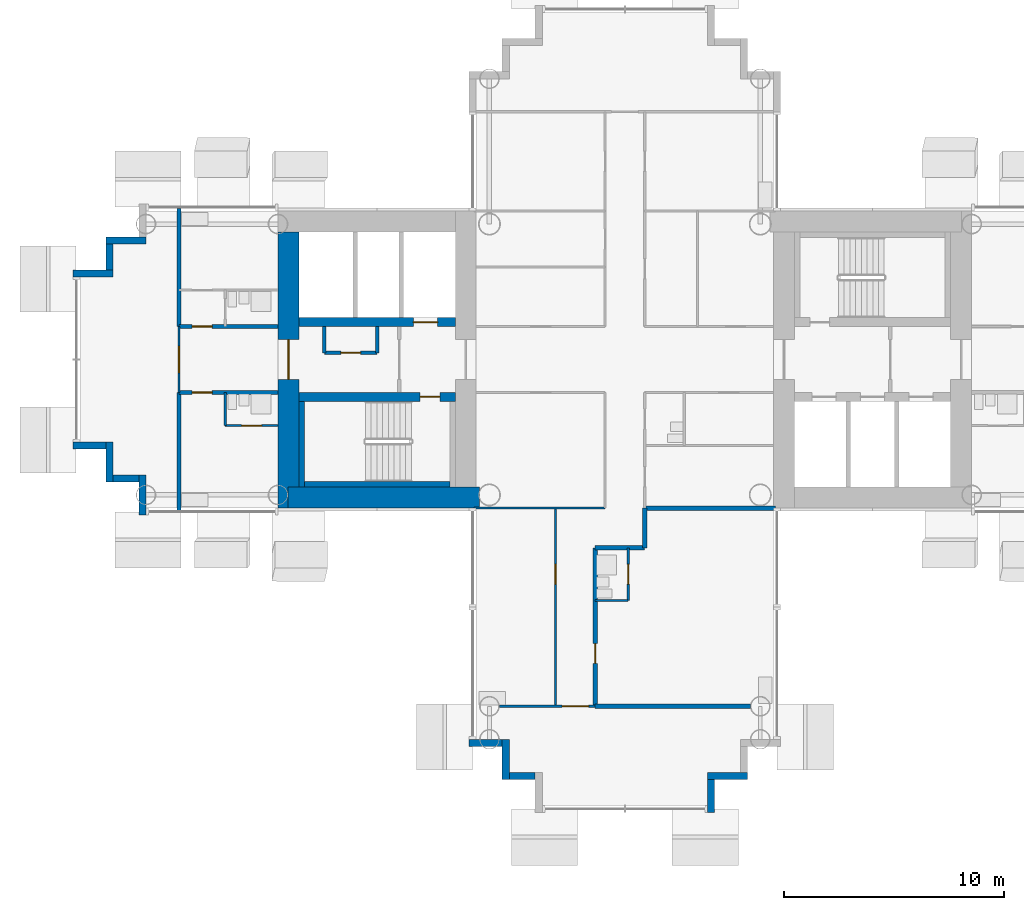
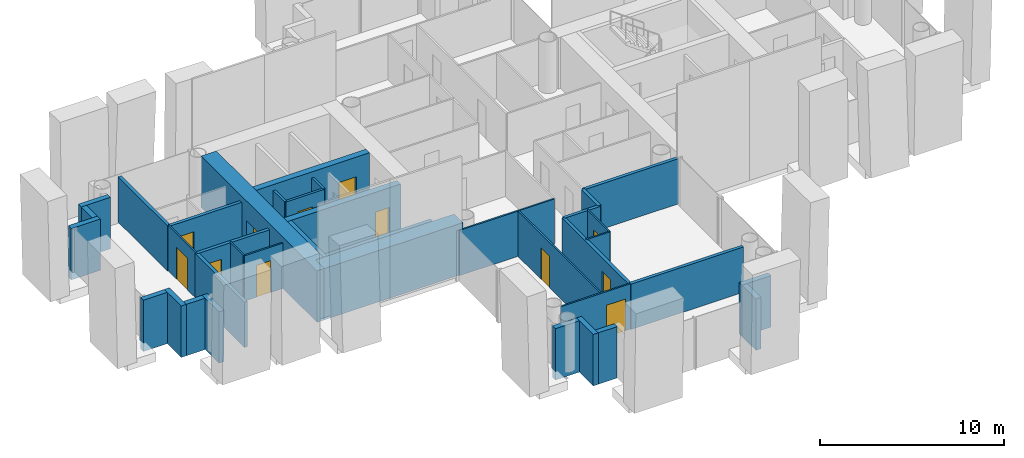
# One storey, part 8 of 20: 38 walls, 12 doors, 12 openings.
"""IFC4 building model written with IfcOpenShell, lengths in metres."""

from ifc_helpers import new_model, si_unit, direction, frame, frame_2d, origin, place, context, subcontext, project, spatial, rectangle, extrude, material, layer, layer_set, type_object, element, fill, save


model = new_model("IFC4")

# Units and contexts
model_context = context("Model", 3, precision=1e-05, world=origin(), true_north=direction((0.0, 1.0)))
body_context = subcontext(model_context, "Body", "Model", "MODEL_VIEW")
ifc_project = project(units=[si_unit("LENGTHUNIT", "METRE"), si_unit("AREAUNIT", "SQUARE_METRE"), si_unit("VOLUMEUNIT", "CUBIC_METRE"), si_unit("PLANEANGLEUNIT", "RADIAN"), si_unit("MASSUNIT", "GRAM", prefix="KILO")], contexts=[model_context])

# Site, building, storey
site_placement = place(None, origin())
site = spatial("IfcSite", under=ifc_project, at=site_placement, CompositionType="ELEMENT")
building_placement = place(site_placement, origin())
building = spatial("IfcBuilding", under=site, at=building_placement, Name="Ipe Terrace Towers", CompositionType="ELEMENT")
storey_placement = place(building_placement, frame((0.0, 0.0, 120.800048828125)))
storey = spatial("IfcBuildingStorey", under=building, at=storey_placement, Name="L33", CompositionType="ELEMENT", Elevation=120.800048828125)

# Walls
ifc_material_1 = material(Name="Concrete C40/50 with buff precast cladding", Category="concrete")
ifc_layer_1 = layer(ifc_material_1, 0.320068359375)
ifc_layer_set_1 = layer_set([ifc_layer_1], Name="BUFF CLADDING WALL 320")
wall_type_1 = type_object("IfcWallType", Name="BUFF CLADDING WALL 320", PredefinedType="STANDARD", material=ifc_layer_set_1)
wall_1_placement = place(storey_placement, frame((-61.070068359375, -3.909912109375, -0.300048828125), z_axis=(0.0, 0.0, 1.0), x_axis=(1.0, 0.0, 0.0)))
element("IfcWall", 1, at=wall_1_placement, inside=storey, type_object=wall_type_1, Name="T1-W-L33-00a wall", PredefinedType="STANDARD", context=body_context, shape_type="SweptSolid", body=[
    extrude(rectangle(XDim=1.5, YDim=0.320068359375, at=frame_2d((0.75, 0.0))), origin(), (0.0, 0.0, 1.0), 3.39990234375),
])
wall_2_placement = place(storey_placement, frame((-59.409912109375, -3.75, -0.300048828125), z_axis=(0.0, 0.0, 1.0), x_axis=(0.0, -1.0, 0.0)))
element("IfcWall", 2, at=wall_2_placement, inside=storey, type_object=wall_type_1, Name="T1-W-L33-01a wall", PredefinedType="STANDARD", context=body_context, shape_type="SweptSolid", body=[
    extrude(rectangle(XDim=1.820068359375, YDim=0.320068359375, at=frame_2d((0.91015625, 0.0))), origin(), (0.0, 0.0, 1.0), 3.39990234375),
])
wall_3_placement = place(storey_placement, frame((-59.25, -5.409912109375, -0.300048828125), z_axis=(0.0, 0.0, 1.0), x_axis=(1.0, 0.0, 0.0)))
element("IfcWall", 3, at=wall_3_placement, inside=storey, type_object=wall_type_1, Name="T1-W-L33-02a wall", PredefinedType="STANDARD", context=body_context, shape_type="SweptSolid", body=[
    extrude(rectangle(XDim=1.179931640625, YDim=0.320068359375, at=frame_2d((0.58984375, 0.0))), origin(), (0.0, 0.0, 1.0), 3.39990234375),
])
wall_4_placement = place(storey_placement, frame((-57.909912109375, -5.25, -0.300048828125), z_axis=(0.0, 0.0, 1.0), x_axis=(0.0, -1.0, 0.0)))
element("IfcWall", 4, at=wall_4_placement, inside=storey, type_object=wall_type_1, Name="T1-W-L33-03a wall", PredefinedType="STANDARD", context=body_context, shape_type="SweptSolid", body=[
    extrude(rectangle(XDim=1.820068359375, YDim=0.320068359375, at=frame_2d((0.91015625, 0.0))), origin(), (0.0, 0.0, 1.0), 3.39990234375),
])
wall_5_placement = place(storey_placement, frame((-43.070068359375, -17.409912109375, -0.300048828125), z_axis=(0.0, 0.0, 1.0), x_axis=(1.0, 0.0, 0.0)))
element("IfcWall", 5, at=wall_5_placement, inside=storey, type_object=wall_type_1, Name="T1-W-L33-08a wall", PredefinedType="STANDARD", context=body_context, shape_type="SweptSolid", body=[
    extrude(rectangle(XDim=1.5, YDim=0.320068359375, at=frame_2d((0.75, 0.0))), origin(), (0.0, 0.0, 1.0), 3.39990234375),
])
wall_6_placement = place(storey_placement, frame((-41.409912109375, -17.25, -0.300048828125), z_axis=(0.0, 0.0, 1.0), x_axis=(0.0, -1.0, 0.0)))
element("IfcWall", 6, at=wall_6_placement, inside=storey, type_object=wall_type_1, Name="T1-W-L33-09a wall", PredefinedType="STANDARD", context=body_context, shape_type="SweptSolid", body=[
    extrude(rectangle(XDim=1.820068359375, YDim=0.320068359375, at=frame_2d((0.91015625, 0.0))), origin(), (0.0, 0.0, 1.0), 3.39990234375),
])
wall_7_placement = place(storey_placement, frame((-41.25, -18.909912109375, -0.300048828125), z_axis=(0.0, 0.0, 1.0), x_axis=(1.0, 0.0, 0.0)))
element("IfcWall", 7, at=wall_7_placement, inside=storey, type_object=wall_type_1, Name="T1-W-L33-10a wall", PredefinedType="STANDARD", context=body_context, shape_type="SweptSolid", body=[
    extrude(rectangle(XDim=1.179931640625, YDim=0.320068359375, at=frame_2d((0.58984375, 0.0))), origin(), (0.0, 0.0, 1.0), 3.39990234375),
])
wall_8_placement = place(storey_placement, frame((-32.090087890625, -20.570068359375, -0.300048828125), z_axis=(0.0, 0.0, 1.0), x_axis=(0.0, 1.0, 0.0)))
element("IfcWall", 8, at=wall_8_placement, inside=storey, type_object=wall_type_1, Name="T1-W-L33-13a wall", PredefinedType="STANDARD", context=body_context, shape_type="SweptSolid", body=[
    extrude(rectangle(XDim=1.5, YDim=0.320068359375, at=frame_2d((0.75, 0.0))), origin(), (0.0, 0.0, 1.0), 3.39990234375),
])
for number, where, z_axis, x_axis, name in (
    (9, (-32.25, -18.909912109375, -0.300048828125), (0.0, 0.0, 1.0), (1.0, 0.0, 0.0), "T1-W-L33-14a wall"),
    (10, (-57.75, 5.409912109375, -0.300048828125), (0.0, 0.0, 1.0), (-1.0, 0.0, 0.0), "T1-W-L33-48a wall"),
):
    element("IfcWall", number, at=place(storey_placement, frame(where, z_axis=z_axis, x_axis=x_axis)), inside=storey, type_object=wall_type_1, Name=name, PredefinedType="STANDARD", context=body_context, shape_type="SweptSolid", body=[
        extrude(rectangle(XDim=1.820068359375, YDim=0.320068359375, at=frame_2d((0.91015625, 0.0))), origin(), (0.0, 0.0, 1.0), 3.39990234375),
    ])
wall_9_placement = place(storey_placement, frame((-59.409912109375, 5.25, -0.300048828125), z_axis=(0.0, 0.0, 1.0), x_axis=(0.0, -1.0, 0.0)))
element("IfcWall", 11, at=wall_9_placement, inside=storey, type_object=wall_type_1, Name="T1-W-L33-49a wall", PredefinedType="STANDARD", context=body_context, shape_type="SweptSolid", body=[
    extrude(rectangle(XDim=1.179931640625, YDim=0.320068359375, at=frame_2d((0.58984375, 0.0))), origin(), (0.0, 0.0, 1.0), 3.39990234375),
])
wall_10_placement = place(storey_placement, frame((-59.25, 3.909912109375, -0.300048828125), z_axis=(0.0, 0.0, 1.0), x_axis=(-1.0, 0.0, 0.0)))
element("IfcWall", 12, at=wall_10_placement, inside=storey, type_object=wall_type_1, Name="T1-W-L33-50a wall", PredefinedType="STANDARD", context=body_context, shape_type="SweptSolid", body=[
    extrude(rectangle(XDim=1.820068359375, YDim=0.320068359375, at=frame_2d((0.91015625, 0.0))), origin(), (0.0, 0.0, 1.0), 3.39990234375),
])

# Wall, opening, door
ifc_material_2 = material(Name="Gypsum board partition", Category="plasterboard")
ifc_layer_2 = layer(ifc_material_2, 0.10009765625)
ifc_layer_set_2 = layer_set([ifc_layer_2], Name="Gypsum board partition 100 mm")
wall_type_2 = type_object("IfcWallType", Name="Gypsum board partition 100 mm", PredefinedType="PARTITIONING", material=ifc_layer_set_2)
wall_11_placement = place(storey_placement, frame((-56.25, -1.5, 0.0), z_axis=(0.0, 0.0, 1.0), x_axis=(0.0, 1.0, 0.0)))
wall_11 = element("IfcWall", 13, at=wall_11_placement, inside=storey, type_object=wall_type_2, Name="Gypsum board partition T1 L33 W01", PredefinedType="PARTITIONING", context=body_context, shape_type="SweptSolid", body=[
    extrude(rectangle(XDim=3.0, YDim=0.10009765625, at=frame_2d((1.5, 0.0))), origin(), (0.0, 0.0, 1.0), 3.0),
])
opening_1_placement = place(wall_11_placement, frame((0.89990234375, 0.0, 0.0)))
opening_1 = element("IfcOpeningElement", 14, at=opening_1_placement, cuts=wall_11, Name="Opening T1-Z2D-25", PredefinedType="OPENING", context=body_context, shape_type="SweptSolid", body=[
    extrude(rectangle(XDim=1.199951171875, YDim=2.10009765625, at=frame_2d((0.60009765625, 1.050048828125))), frame((0.0, 0.06005859375, 0.0), z_axis=(0.0, -1.0, 0.0), x_axis=(1.0, 0.0, 0.0)), (0.0, 0.0, 1.0), 0.1201171875),
])
ifc_material_3 = material(Name="Timber door leaf", Category="wood")
door_type_1 = type_object("IfcDoorType", Name="Lounge door 1200 x 2100", OperationType="NOTDEFINED", PredefinedType="DOOR", material=ifc_material_3)
door_1_placement = place(opening_1_placement, origin())
door_1 = element("IfcDoor", 15, at=door_1_placement, inside=storey, type_object=door_type_1, Name="Lounge door T1-Z2D-25", OperationType="SINGLE_SWING_LEFT", OverallHeight=2.10009765625, OverallWidth=1.199951171875, PredefinedType="DOOR", context=body_context, shape_type="SweptSolid", body=[
    extrude(rectangle(XDim=1.199951171875, YDim=2.10009765625, at=frame_2d((0.60009765625, 1.050048828125))), frame((0.0, 0.02490234375, 0.0), z_axis=(0.0, -1.0, 0.0), x_axis=(1.0, 0.0, 0.0)), (0.0, 0.0, 1.0), 0.050048828125),
])
fill(opening_1, door_1)

# Wall
wall_12_placement = place(storey_placement, frame((-54.14990234375, -3.0, 0.0), z_axis=(0.0, 0.0, 1.0), x_axis=(0.0, 1.0, 0.0)))
element("IfcWall", 16, at=wall_12_placement, inside=storey, type_object=wall_type_2, Name="Gypsum board partition T1 L33 W04", PredefinedType="PARTITIONING", context=body_context, shape_type="SweptSolid", body=[
    extrude(rectangle(XDim=1.5, YDim=0.10009765625, at=frame_2d((0.75, 0.0))), origin(), (0.0, 0.0, 1.0), 3.0),
])

# Wall, opening, door
wall_13_placement = place(storey_placement, frame((-39.14990234375, -15.75, 0.0), z_axis=(0.0, 0.0, 1.0), x_axis=(0.0, 1.0, 0.0)))
wall_13 = element("IfcWall", 17, at=wall_13_placement, inside=storey, type_object=wall_type_2, Name="Gypsum board partition T1 L33 W06", PredefinedType="PARTITIONING", context=body_context, shape_type="SweptSolid", body=[
    extrude(rectangle(XDim=9.0, YDim=0.10009765625, at=frame_2d((4.5, 0.0))), origin(), (0.0, 0.0, 1.0), 3.0),
])
opening_2_placement = place(wall_13_placement, frame((5.550048828125, 0.0, 0.0)))
opening_2 = element("IfcOpeningElement", 18, at=opening_2_placement, cuts=wall_13, Name="Opening T1-Z2D-14", PredefinedType="OPENING", context=body_context, shape_type="SweptSolid", body=[
    extrude(rectangle(XDim=0.89990234375, YDim=2.10009765625, at=frame_2d((0.449951171875, 1.050048828125))), frame((0.0, 0.06005859375, 0.0), z_axis=(0.0, -1.0, 0.0), x_axis=(1.0, 0.0, 0.0)), (0.0, 0.0, 1.0), 0.1201171875),
])
ifc_material_4 = material(Name="Timber door leaf", Category="wood")
door_type_2 = type_object("IfcDoorType", Name="Lounge door 900 x 2100", OperationType="NOTDEFINED", PredefinedType="DOOR", material=ifc_material_4)
door_2_placement = place(opening_2_placement, origin())
door_2 = element("IfcDoor", 19, at=door_2_placement, inside=storey, type_object=door_type_2, Name="Lounge door T1-Z2D-14", OperationType="SINGLE_SWING_LEFT", OverallHeight=2.10009765625, OverallWidth=0.89990234375, PredefinedType="DOOR", context=body_context, shape_type="SweptSolid", body=[
    extrude(rectangle(XDim=0.89990234375, YDim=2.10009765625, at=frame_2d((0.449951171875, 1.050048828125))), frame((0.0, 0.02490234375, 0.0), z_axis=(0.0, -1.0, 0.0), x_axis=(1.0, 0.0, 0.0)), (0.0, 0.0, 1.0), 0.050048828125),
])
fill(opening_2, door_2)

wall_14_placement = place(storey_placement, frame((-35.85009765625, -10.949951171875, 0.0), z_axis=(0.0, 0.0, 1.0), x_axis=(0.0, 1.0, 0.0)))
wall_14 = element("IfcWall", 20, at=wall_14_placement, inside=storey, type_object=wall_type_2, Name="Gypsum board partition T1 L33 W10", PredefinedType="PARTITIONING", context=body_context, shape_type="SweptSolid", body=[
    extrude(rectangle(XDim=2.39990234375, YDim=0.10009765625, at=frame_2d((1.199951171875, 0.0))), origin(), (0.0, 0.0, 1.0), 3.0),
])
opening_3_placement = place(wall_14_placement, frame((0.75, 0.0, 0.0)))
opening_3 = element("IfcOpeningElement", 21, at=opening_3_placement, cuts=wall_14, Name="Opening T1-Z2D-13", PredefinedType="OPENING", context=body_context, shape_type="SweptSolid", body=[
    extrude(rectangle(XDim=0.89990234375, YDim=2.10009765625, at=frame_2d((0.449951171875, 1.050048828125))), frame((0.0, 0.06005859375, 0.0), z_axis=(0.0, -1.0, 0.0), x_axis=(1.0, 0.0, 0.0)), (0.0, 0.0, 1.0), 0.1201171875),
])
ifc_material_5 = material(Name="Timber door leaf", Category="wood")
door_type_3 = type_object("IfcDoorType", Name="Bathroom door 900 x 2100", OperationType="NOTDEFINED", PredefinedType="DOOR", material=ifc_material_5)
door_3_placement = place(opening_3_placement, origin())
door_3 = element("IfcDoor", 22, at=door_3_placement, inside=storey, type_object=door_type_3, Name="Bathroom door T1-Z2D-13", OperationType="SINGLE_SWING_LEFT", OverallHeight=2.10009765625, OverallWidth=0.89990234375, PredefinedType="DOOR", context=body_context, shape_type="SweptSolid", body=[
    extrude(rectangle(XDim=0.89990234375, YDim=2.10009765625, at=frame_2d((0.449951171875, 1.050048828125))), frame((0.0, 0.02490234375, 0.0), z_axis=(0.0, -1.0, 0.0), x_axis=(1.0, 0.0, 0.0)), (0.0, 0.0, 1.0), 0.050048828125),
])
fill(opening_3, door_3)

wall_15_placement = place(storey_placement, frame((-41.699951171875, -15.75, 0.0), z_axis=(0.0, 0.0, 1.0), x_axis=(1.0, 0.0, 0.0)))
wall_15 = element("IfcWall", 23, at=wall_15_placement, inside=storey, type_object=wall_type_2, Name="Gypsum board partition T1 L33 W19", PredefinedType="PARTITIONING", context=body_context, shape_type="SweptSolid", body=[
    extrude(rectangle(XDim=4.349853515625, YDim=0.10009765625, at=frame_2d((2.1748046875, 0.0))), origin(), (0.0, 0.0, 1.0), 3.0),
])
opening_4_placement = place(wall_15_placement, frame((2.85009765625, 0.0, 0.0)))
opening_4 = element("IfcOpeningElement", 24, at=opening_4_placement, cuts=wall_15, Name="Opening T1-Z2D-15", PredefinedType="OPENING", context=body_context, shape_type="SweptSolid", body=[
    extrude(rectangle(XDim=1.199951171875, YDim=2.10009765625, at=frame_2d((0.60009765625, 1.050048828125))), frame((0.0, 0.06005859375, 0.0), z_axis=(0.0, -1.0, 0.0), x_axis=(1.0, 0.0, 0.0)), (0.0, 0.0, 1.0), 0.1201171875),
])
door_4_placement = place(opening_4_placement, origin())
door_4 = element("IfcDoor", 25, at=door_4_placement, inside=storey, type_object=door_type_1, Name="Lounge door T1-Z2D-15", OperationType="SINGLE_SWING_RIGHT", OverallHeight=2.10009765625, OverallWidth=1.199951171875, PredefinedType="DOOR", context=body_context, shape_type="SweptSolid", body=[
    extrude(rectangle(XDim=1.199951171875, YDim=2.10009765625, at=frame_2d((0.60009765625, 1.050048828125))), frame((0.0, 0.02490234375, 0.0), z_axis=(0.0, -1.0, 0.0), x_axis=(1.0, 0.0, 0.0)), (0.0, 0.0, 1.0), 0.050048828125),
])
fill(opening_4, door_4)

# Walls
wall_16_placement = place(storey_placement, frame((-37.35009765625, -10.949951171875, 0.0), z_axis=(0.0, 0.0, 1.0), x_axis=(1.0, 0.0, 0.0)))
element("IfcWall", 26, at=wall_16_placement, inside=storey, type_object=wall_type_2, Name="Gypsum board partition T1 L33 W21", PredefinedType="PARTITIONING", context=body_context, shape_type="SweptSolid", body=[
    extrude(rectangle(XDim=1.5, YDim=0.10009765625, at=frame_2d((0.75, 0.0))), origin(), (0.0, 0.0, 1.0), 3.0),
])
wall_17_placement = place(storey_placement, frame((-42.85009765625, -6.75, 0.0), z_axis=(0.0, 0.0, 1.0), x_axis=(1.0, 0.0, 0.0)))
element("IfcWall", 27, at=wall_17_placement, inside=storey, type_object=wall_type_2, Name="Gypsum board partition T1 L33 W23", PredefinedType="PARTITIONING", context=body_context, shape_type="SweptSolid", body=[
    extrude(rectangle(XDim=5.9501953125, YDim=0.10009765625, at=frame_2d((2.97509765625, 0.0))), origin(), (0.0, 0.0, 1.0), 3.0),
])

# Wall, opening, door
wall_18_placement = place(storey_placement, frame((-54.14990234375, -3.0, 0.0), z_axis=(0.0, 0.0, 1.0), x_axis=(1.0, 0.0, 0.0)))
wall_18 = element("IfcWall", 28, at=wall_18_placement, inside=storey, type_object=wall_type_2, Name="Gypsum board partition T1 L33 W26", PredefinedType="PARTITIONING", context=body_context, shape_type="SweptSolid", body=[
    extrude(rectangle(XDim=2.39990234375, YDim=0.10009765625, at=frame_2d((1.199951171875, 0.0))), origin(), (0.0, 0.0, 1.0), 3.0),
])
opening_5_placement = place(wall_18_placement, frame((0.75, 0.0, 0.0)))
opening_5 = element("IfcOpeningElement", 29, at=opening_5_placement, cuts=wall_18, Name="Opening T1-Z2D-21", PredefinedType="OPENING", context=body_context, shape_type="SweptSolid", body=[
    extrude(rectangle(XDim=0.89990234375, YDim=2.10009765625, at=frame_2d((0.449951171875, 1.050048828125))), frame((0.0, 0.06005859375, 0.0), z_axis=(0.0, -1.0, 0.0), x_axis=(1.0, 0.0, 0.0)), (0.0, 0.0, 1.0), 0.1201171875),
])
door_5_placement = place(opening_5_placement, origin())
door_5 = element("IfcDoor", 30, at=door_5_placement, inside=storey, type_object=door_type_3, Name="Bathroom door T1-Z2D-21", OperationType="SINGLE_SWING_LEFT", OverallHeight=2.10009765625, OverallWidth=0.89990234375, PredefinedType="DOOR", context=body_context, shape_type="SweptSolid", body=[
    extrude(rectangle(XDim=0.89990234375, YDim=2.10009765625, at=frame_2d((0.449951171875, 1.050048828125))), frame((0.0, 0.02490234375, 0.0), z_axis=(0.0, -1.0, 0.0), x_axis=(1.0, 0.0, 0.0)), (0.0, 0.0, 1.0), 0.050048828125),
])
fill(opening_5, door_5)

ifc_material_6 = material(Name="Gypsum board partition", Category="plasterboard")
ifc_layer_3 = layer(ifc_material_6, 0.14990234375)
ifc_layer_set_3 = layer_set([ifc_layer_3], Name="Gypsum board partition 150 mm")
wall_type_3 = type_object("IfcWallType", Name="Gypsum board partition 150 mm", PredefinedType="PARTITIONING", material=ifc_layer_set_3)
wall_19_placement = place(storey_placement, frame((-47.25, 0.300048828125, 0.0), z_axis=(0.0, 0.0, 1.0), x_axis=(-1.0, 0.0, 0.0)))
wall_19 = element("IfcWall", 31, at=wall_19_placement, inside=storey, type_object=wall_type_3, Name="Gypsum board partition T1 L33 t1c2-cup-s-f", PredefinedType="PARTITIONING", context=body_context, shape_type="SweptSolid", body=[
    extrude(rectangle(XDim=2.39990234375, YDim=0.14990234375, at=frame_2d((1.199951171875, 0.0))), origin(), (0.0, 0.0, 1.0), 3.0),
])
opening_6_placement = place(wall_19_placement, frame((0.75, 0.0, 0.0)))
opening_6 = element("IfcOpeningElement", 32, at=opening_6_placement, cuts=wall_19, Name="Opening T1C2-SC", PredefinedType="OPENING", context=body_context, shape_type="SweptSolid", body=[
    extrude(rectangle(XDim=0.89990234375, YDim=2.10009765625, at=frame_2d((0.449951171875, 1.050048828125))), frame((0.0, 0.0849609375, 0.0), z_axis=(0.0, -1.0, 0.0), x_axis=(1.0, 0.0, 0.0)), (0.0, 0.0, 1.0), 0.169921875),
])
ifc_material_7 = material(Name="Fire-rated timber door leaf", Category="wood")
door_type_4 = type_object("IfcDoorType", Name="Service door 900 x 2100 FD30S", OperationType="NOTDEFINED", PredefinedType="DOOR", material=ifc_material_7)
door_6_placement = place(opening_6_placement, origin())
door_6 = element("IfcDoor", 33, at=door_6_placement, inside=storey, type_object=door_type_4, Name="Service door T1C2-SC", OperationType="SINGLE_SWING_LEFT", OverallHeight=2.10009765625, OverallWidth=0.89990234375, PredefinedType="DOOR", context=body_context, shape_type="SweptSolid", body=[
    extrude(rectangle(XDim=0.89990234375, YDim=2.10009765625, at=frame_2d((0.449951171875, 1.050048828125))), frame((0.0, 0.02490234375, 0.0), z_axis=(0.0, -1.0, 0.0), x_axis=(1.0, 0.0, 0.0)), (0.0, 0.0, 1.0), 0.050048828125),
])
fill(opening_6, door_6)

# Walls
for number, where, z_axis, x_axis, name in (
    (34, (-47.25, 0.300048828125, 0.0), (0.0, 0.0, 1.0), (0.0, 1.0, 0.0), "Gypsum board partition T1 L33 t1c2-cup-s-a"),
    (35, (-49.64990234375, 0.300048828125, 0.0), (0.0, 0.0, 1.0), (0.0, 1.0, 0.0), "Gypsum board partition T1 L33 t1c2-cup-s-b"),
):
    element("IfcWall", number, at=place(storey_placement, frame(where, z_axis=z_axis, x_axis=x_axis)), inside=storey, type_object=wall_type_3, Name=name, PredefinedType="PARTITIONING", context=body_context, shape_type="SweptSolid", body=[
        extrude(rectangle(XDim=1.199951171875, YDim=0.14990234375, at=frame_2d((0.60009765625, 0.0))), origin(), (0.0, 0.0, 1.0), 3.0),
    ])
ifc_material_8 = material(Name="Gypsum board party wall", Category="plasterboard")
ifc_layer_4 = layer(ifc_material_8, 0.199951171875)
ifc_layer_set_4 = layer_set([ifc_layer_4], Name="Gypsum board party wall 200 mm")
wall_type_4 = type_object("IfcWallType", Name="Gypsum board party wall 200 mm", PredefinedType="SOLIDWALL", material=ifc_layer_set_4)
for number, where, z_axis, x_axis, name in (
    (36, (-56.25, -6.85009765625, 0.0), (0.0, 0.0, 1.0), (0.0, 1.0, 0.0), "Gypsum board party wall T1 L33 W02"),
    (37, (-56.25, 1.5, 0.0), (0.0, 0.0, 1.0), (0.0, 1.0, 0.0), "Gypsum board party wall T1 L33 W03"),
):
    element("IfcWall", number, at=place(storey_placement, frame(where, z_axis=z_axis, x_axis=x_axis)), inside=storey, type_object=wall_type_4, Name=name, PredefinedType="SOLIDWALL", context=body_context, shape_type="SweptSolid", body=[
        extrude(rectangle(XDim=5.35009765625, YDim=0.199951171875, at=frame_2d((2.675048828125, 0.0))), origin(), (0.0, 0.0, 1.0), 3.0),
    ])

# Wall, opening, door
wall_20_placement = place(storey_placement, frame((-37.35009765625, -15.75, 0.0), z_axis=(0.0, 0.0, 1.0), x_axis=(0.0, 1.0, 0.0)))
wall_20 = element("IfcWall", 38, at=wall_20_placement, inside=storey, type_object=wall_type_4, Name="Gypsum board party wall T1 L33 W07", PredefinedType="SOLIDWALL", context=body_context, shape_type="SweptSolid", body=[
    extrude(rectangle(XDim=7.199951171875, YDim=0.199951171875, at=frame_2d((3.60009765625, 0.0))), origin(), (0.0, 0.0, 1.0), 3.0),
])
opening_7_placement = place(wall_20_placement, frame((1.949951171875, 0.0, 0.0)))
opening_7 = element("IfcOpeningElement", 39, at=opening_7_placement, cuts=wall_20, Name="Opening T1-Z2D-12", PredefinedType="OPENING", context=body_context, shape_type="SweptSolid", body=[
    extrude(rectangle(XDim=0.89990234375, YDim=2.10009765625, at=frame_2d((0.449951171875, 1.050048828125))), frame((0.0, 0.10986328125, 0.0), z_axis=(0.0, -1.0, 0.0), x_axis=(1.0, 0.0, 0.0)), (0.0, 0.0, 1.0), 0.219970703125),
])
ifc_material_9 = material(Name="Fire-rated timber door leaf", Category="wood")
door_type_5 = type_object("IfcDoorType", Name="Flat entrance door 900 x 2100 FD30S", OperationType="NOTDEFINED", PredefinedType="DOOR", material=ifc_material_9)
door_7_placement = place(opening_7_placement, origin())
door_7 = element("IfcDoor", 40, at=door_7_placement, inside=storey, type_object=door_type_5, Name="Flat entrance door T1-Z2D-12", OperationType="SINGLE_SWING_LEFT", OverallHeight=2.10009765625, OverallWidth=0.89990234375, PredefinedType="DOOR", context=body_context, shape_type="SweptSolid", body=[
    extrude(rectangle(XDim=0.89990234375, YDim=2.10009765625, at=frame_2d((0.449951171875, 1.050048828125))), frame((0.0, 0.02490234375, 0.0), z_axis=(0.0, -1.0, 0.0), x_axis=(1.0, 0.0, 0.0)), (0.0, 0.0, 1.0), 0.050048828125),
])
fill(opening_7, door_7)

# Walls
wall_21_placement = place(storey_placement, frame((-35.10009765625, -8.550048828125, 0.0), z_axis=(0.0, 0.0, 1.0), x_axis=(0.0, 1.0, 0.0)))
element("IfcWall", 41, at=wall_21_placement, inside=storey, type_object=wall_type_4, Name="Gypsum board party wall T1 L33 W13", PredefinedType="SOLIDWALL", context=body_context, shape_type="SweptSolid", body=[
    extrude(rectangle(XDim=1.800048828125, YDim=0.199951171875, at=frame_2d((0.89990234375, 0.0))), origin(), (0.0, 0.0, 1.0), 3.0),
])
wall_22_placement = place(storey_placement, frame((-37.35009765625, -15.75, 0.0), z_axis=(0.0, 0.0, 1.0), x_axis=(1.0, 0.0, 0.0)))
element("IfcWall", 42, at=wall_22_placement, inside=storey, type_object=wall_type_4, Name="Gypsum board party wall T1 L33 W20", PredefinedType="SOLIDWALL", context=body_context, shape_type="SweptSolid", body=[
    extrude(rectangle(XDim=7.050048828125, YDim=0.199951171875, at=frame_2d((3.52490234375, 0.0))), origin(), (0.0, 0.0, 1.0), 3.0),
])
wall_23_placement = place(storey_placement, frame((-37.35009765625, -8.550048828125, 0.0), z_axis=(0.0, 0.0, 1.0), x_axis=(1.0, 0.0, 0.0)))
element("IfcWall", 43, at=wall_23_placement, inside=storey, type_object=wall_type_4, Name="Gypsum board party wall T1 L33 W22", PredefinedType="SOLIDWALL", context=body_context, shape_type="SweptSolid", body=[
    extrude(rectangle(XDim=2.25, YDim=0.199951171875, at=frame_2d((1.125, 0.0))), origin(), (0.0, 0.0, 1.0), 3.0),
])
wall_24_placement = place(storey_placement, frame((-35.10009765625, -6.75, 0.0), z_axis=(0.0, 0.0, 1.0), x_axis=(1.0, 0.0, 0.0)))
element("IfcWall", 44, at=wall_24_placement, inside=storey, type_object=wall_type_4, Name="Gypsum board party wall T1 L33 W24", PredefinedType="SOLIDWALL", context=body_context, shape_type="SweptSolid", body=[
    extrude(rectangle(XDim=5.9501953125, YDim=0.199951171875, at=frame_2d((2.97509765625, 0.0))), origin(), (0.0, 0.0, 1.0), 3.0),
])

# Wall, opening, door
wall_25_placement = place(storey_placement, frame((-56.25, -1.5, 0.0), z_axis=(0.0, 0.0, 1.0), x_axis=(1.0, 0.0, 0.0)))
wall_25 = element("IfcWall", 45, at=wall_25_placement, inside=storey, type_object=wall_type_4, Name="Gypsum board party wall T1 L33 W30", PredefinedType="SOLIDWALL", context=body_context, shape_type="SweptSolid", body=[
    extrude(rectangle(XDim=4.5, YDim=0.199951171875, at=frame_2d((2.25, 0.0))), origin(), (0.0, 0.0, 1.0), 3.0),
])
opening_8_placement = place(wall_25_placement, frame((0.60009765625, 0.0, 0.0)))
opening_8 = element("IfcOpeningElement", 46, at=opening_8_placement, cuts=wall_25, Name="Opening T1-Z2D-20", PredefinedType="OPENING", context=body_context, shape_type="SweptSolid", body=[
    extrude(rectangle(XDim=0.89990234375, YDim=2.10009765625, at=frame_2d((0.449951171875, 1.050048828125))), frame((0.0, 0.10986328125, 0.0), z_axis=(0.0, -1.0, 0.0), x_axis=(1.0, 0.0, 0.0)), (0.0, 0.0, 1.0), 0.219970703125),
])
door_8_placement = place(opening_8_placement, origin())
door_8 = element("IfcDoor", 47, at=door_8_placement, inside=storey, type_object=door_type_5, Name="Flat entrance door T1-Z2D-20", OperationType="SINGLE_SWING_LEFT", OverallHeight=2.10009765625, OverallWidth=0.89990234375, PredefinedType="DOOR", context=body_context, shape_type="SweptSolid", body=[
    extrude(rectangle(XDim=0.89990234375, YDim=2.10009765625, at=frame_2d((0.449951171875, 1.050048828125))), frame((0.0, 0.02490234375, 0.0), z_axis=(0.0, -1.0, 0.0), x_axis=(1.0, 0.0, 0.0)), (0.0, 0.0, 1.0), 0.050048828125),
])
fill(opening_8, door_8)

wall_26_placement = place(storey_placement, frame((-56.25, 1.5, 0.0), z_axis=(0.0, 0.0, 1.0), x_axis=(1.0, 0.0, 0.0)))
wall_26 = element("IfcWall", 48, at=wall_26_placement, inside=storey, type_object=wall_type_4, Name="Gypsum board party wall T1 L33 W35", PredefinedType="SOLIDWALL", context=body_context, shape_type="SweptSolid", body=[
    extrude(rectangle(XDim=4.5, YDim=0.199951171875, at=frame_2d((2.25, 0.0))), origin(), (0.0, 0.0, 1.0), 3.0),
])
opening_9_placement = place(wall_26_placement, frame((0.60009765625, 0.0, 0.0)))
opening_9 = element("IfcOpeningElement", 49, at=opening_9_placement, cuts=wall_26, Name="Opening T1-Z2D-22", PredefinedType="OPENING", context=body_context, shape_type="SweptSolid", body=[
    extrude(rectangle(XDim=0.89990234375, YDim=2.10009765625, at=frame_2d((0.449951171875, 1.050048828125))), frame((0.0, 0.10986328125, 0.0), z_axis=(0.0, -1.0, 0.0), x_axis=(1.0, 0.0, 0.0)), (0.0, 0.0, 1.0), 0.219970703125),
])
door_9_placement = place(opening_9_placement, origin())
door_9 = element("IfcDoor", 50, at=door_9_placement, inside=storey, type_object=door_type_5, Name="Flat entrance door T1-Z2D-22", OperationType="SINGLE_SWING_RIGHT", OverallHeight=2.10009765625, OverallWidth=0.89990234375, PredefinedType="DOOR", context=body_context, shape_type="SweptSolid", body=[
    extrude(rectangle(XDim=0.89990234375, YDim=2.10009765625, at=frame_2d((0.449951171875, 1.050048828125))), frame((0.0, 0.02490234375, 0.0), z_axis=(0.0, -1.0, 0.0), x_axis=(1.0, 0.0, 0.0)), (0.0, 0.0, 1.0), 0.050048828125),
])
fill(opening_9, door_9)

# Walls
ifc_material_10 = material(Name="Concrete C50/60", Category="concrete")
ifc_layer_5 = layer(ifc_material_10, 0.25)
ifc_layer_set_5 = layer_set([ifc_layer_5], Name="RW250 CORE INFILL WALL 250 C50-60")
wall_type_5 = type_object("IfcWallType", Name="RW250 CORE INFILL WALL 250 C50-60", PredefinedType="SHEAR", material=ifc_layer_set_5)
wall_27_placement = place(storey_placement, frame((-50.675048828125, -1.89990234375, 0.0), z_axis=(0.0, 0.0, 1.0), x_axis=(0.0, -1.0, 0.0)))
element("IfcWall", 51, at=wall_27_placement, inside=storey, type_object=wall_type_5, Name="Core infill wall T1-C2-far", PredefinedType="SHEAR", context=body_context, shape_type="SweptSolid", body=[
    extrude(rectangle(XDim=3.900146484375, YDim=0.25, at=frame_2d((1.9501953125, 0.0))), origin(), (0.0, 0.0, 1.0), 3.39990234375),
])
wall_28_placement = place(storey_placement, frame((-43.949951171875, -5.675048828125, 0.0), z_axis=(0.0, 0.0, 1.0), x_axis=(-1.0, 0.0, 0.0)))
element("IfcWall", 52, at=wall_28_placement, inside=storey, type_object=wall_type_5, Name="Core infill wall T1-C2-back", PredefinedType="SHEAR", context=body_context, shape_type="SweptSolid", body=[
    extrude(rectangle(XDim=6.60009765625, YDim=0.25, at=frame_2d((3.300048828125, 0.0))), origin(), (0.0, 0.0, 1.0), 3.39990234375),
])

# Wall, opening, door
ifc_material_11 = material(Name="Concrete C50/60", Category="concrete")
ifc_layer_6 = layer(ifc_material_11, 0.39990234375)
ifc_layer_set_6 = layer_set([ifc_layer_6], Name="RW400 CORE SPINE WALL 400 C50-60")
wall_type_6 = type_object("IfcWallType", Name="RW400 CORE SPINE WALL 400 C50-60", PredefinedType="SHEAR", material=ifc_layer_set_6)
wall_29_placement = place(storey_placement, frame((-50.800048828125, -1.699951171875, 0.0), z_axis=(0.0, 0.0, 1.0), x_axis=(1.0, 0.0, 0.0)))
wall_29 = element("IfcWall", 53, at=wall_29_placement, inside=storey, type_object=wall_type_6, Name="Core spine wall T1-C2-Z2-SW1", PredefinedType="SHEAR", context=body_context, shape_type="SweptSolid", body=[
    extrude(rectangle(XDim=7.10009765625, YDim=0.39990234375, at=frame_2d((3.550048828125, 0.0))), origin(), (0.0, 0.0, 1.0), 3.39990234375),
])
opening_10_placement = place(wall_29_placement, frame((5.5, 0.0, 0.0)))
opening_10 = element("IfcOpeningElement", 54, at=opening_10_placement, cuts=wall_29, Name="Opening T1C2-SD", PredefinedType="OPENING", context=body_context, shape_type="SweptSolid", body=[
    extrude(rectangle(XDim=0.89990234375, YDim=2.10009765625, at=frame_2d((0.449951171875, 1.050048828125))), frame((0.0, 0.2099609375, 0.0), z_axis=(0.0, -1.0, 0.0), x_axis=(1.0, 0.0, 0.0)), (0.0, 0.0, 1.0), 0.419921875),
])
ifc_material_12 = material(Name="Fire-rated timber door leaf", Category="wood")
door_type_6 = type_object("IfcDoorType", Name="Stair door 900 x 2100 FD60", OperationType="NOTDEFINED", PredefinedType="DOOR", material=ifc_material_12)
door_10_placement = place(opening_10_placement, origin())
door_10 = element("IfcDoor", 55, at=door_10_placement, inside=storey, type_object=door_type_6, Name="Stair door T1C2-SD", OperationType="SINGLE_SWING_RIGHT", OverallHeight=2.10009765625, OverallWidth=0.89990234375, PredefinedType="DOOR", context=body_context, shape_type="SweptSolid", body=[
    extrude(rectangle(XDim=0.89990234375, YDim=2.10009765625, at=frame_2d((0.449951171875, 1.050048828125))), frame((0.0, 0.02490234375, 0.0), z_axis=(0.0, -1.0, 0.0), x_axis=(1.0, 0.0, 0.0)), (0.0, 0.0, 1.0), 0.050048828125),
])
fill(opening_10, door_10)

wall_30_placement = place(storey_placement, frame((-50.800048828125, 1.699951171875, 0.0), z_axis=(0.0, 0.0, 1.0), x_axis=(1.0, 0.0, 0.0)))
wall_30 = element("IfcWall", 56, at=wall_30_placement, inside=storey, type_object=wall_type_6, Name="Core spine wall T1-C2-Z2-SW2", PredefinedType="SHEAR", context=body_context, shape_type="SweptSolid", body=[
    extrude(rectangle(XDim=7.10009765625, YDim=0.39990234375, at=frame_2d((3.550048828125, 0.0))), origin(), (0.0, 0.0, 1.0), 3.39990234375),
])
opening_11_placement = place(wall_30_placement, frame((5.199951171875, 0.0, 0.0)))
opening_11 = element("IfcOpeningElement", 57, at=opening_11_placement, cuts=wall_30, Name="Opening T1C2-LD1", PredefinedType="OPENING", context=body_context, shape_type="SweptSolid", body=[
    extrude(rectangle(XDim=1.10009765625, YDim=2.10009765625, at=frame_2d((0.550048828125, 1.050048828125))), frame((0.0, 0.2099609375, 0.0), z_axis=(0.0, -1.0, 0.0), x_axis=(1.0, 0.0, 0.0)), (0.0, 0.0, 1.0), 0.419921875),
])
ifc_material_13 = material(Name="Fire-rated timber door leaf", Category="wood")
door_type_7 = type_object("IfcDoorType", Name="Sliding door 1100 x 2100 FD60", OperationType="SLIDING_TO_LEFT", PredefinedType="DOOR", material=ifc_material_13)
door_11_placement = place(opening_11_placement, origin())
door_11 = element("IfcDoor", 58, at=door_11_placement, inside=storey, type_object=door_type_7, Name="Sliding door T1C2-LD1", OperationType="SLIDING_TO_LEFT", OverallHeight=2.10009765625, OverallWidth=1.10009765625, PredefinedType="DOOR", context=body_context, shape_type="SweptSolid", body=[
    extrude(rectangle(XDim=1.10009765625, YDim=2.10009765625, at=frame_2d((0.550048828125, 1.050048828125))), frame((0.0, 0.02490234375, 0.0), z_axis=(0.0, -1.0, 0.0), x_axis=(1.0, 0.0, 0.0)), (0.0, 0.0, 1.0), 0.050048828125),
])
fill(opening_11, door_11)

# Wall
ifc_material_14 = material(Name="Concrete C50/60", Category="concrete")
ifc_layer_7 = layer(ifc_material_14, 0.949951171875)
ifc_layer_set_7 = layer_set([ifc_layer_7], Name="RW950 CORE WALL 950 C50-60")
wall_type_7 = type_object("IfcWallType", Name="RW950 CORE WALL 950 C50-60", PredefinedType="SHEAR", material=ifc_layer_set_7)
wall_31_placement = place(storey_placement, frame((-51.298095703125, -6.27490234375, 0.0), z_axis=(0.0, 0.0, 1.0), x_axis=(1.0, 0.0, 0.0)))
element("IfcWall", 59, at=wall_31_placement, inside=storey, type_object=wall_type_7, Name="Core wall T1-C2-Z2-W01", PredefinedType="SHEAR", context=body_context, shape_type="SweptSolid", body=[
    extrude(rectangle(XDim=8.696044921875, YDim=0.949951171875, at=frame_2d((4.34814453125, 0.0))), origin(), (0.0, 0.0, 1.0), 3.39990234375),
])

# Wall, opening, door
wall_32_placement = place(storey_placement, frame((-51.27490234375, 5.800048828125, 0.0), z_axis=(0.0, 0.0, 1.0), x_axis=(0.0, -1.0, 0.0)))
wall_32 = element("IfcWall", 60, at=wall_32_placement, inside=storey, type_object=wall_type_7, Name="Core wall T1-C2-Z2-W04", PredefinedType="SHEAR", context=body_context, shape_type="SweptSolid", body=[
    extrude(rectangle(XDim=12.550048828125, YDim=0.949951171875, at=frame_2d((6.27490234375, 0.0))), origin(), (0.0, 0.0, 1.0), 3.39990234375),
])
opening_12_placement = place(wall_32_placement, frame((4.89990234375, 0.0, 0.0)))
opening_12 = element("IfcOpeningElement", 61, at=opening_12_placement, cuts=wall_32, Name="Opening T1C2-FD", PredefinedType="OPENING", context=body_context, shape_type="SweptSolid", body=[
    extrude(rectangle(XDim=1.800048828125, YDim=2.10009765625, at=frame_2d((0.89990234375, 1.050048828125))), frame((0.0, 0.48486328125, 0.0), z_axis=(0.0, -1.0, 0.0), x_axis=(1.0, 0.0, 0.0)), (0.0, 0.0, 1.0), 0.969970703125),
])
ifc_material_15 = material(Name="Fire-rated timber door leaf", Category="wood")
door_type_8 = type_object("IfcDoorType", Name="Fire door 1800 x 2100 FD30S", OperationType="NOTDEFINED", PredefinedType="DOOR", material=ifc_material_15)
door_12_placement = place(opening_12_placement, origin())
door_12 = element("IfcDoor", 62, at=door_12_placement, inside=storey, type_object=door_type_8, Name="Fire door T1C2-FD", OperationType="SINGLE_SWING_LEFT", OverallHeight=2.10009765625, OverallWidth=1.800048828125, PredefinedType="DOOR", context=body_context, shape_type="SweptSolid", body=[
    extrude(rectangle(XDim=1.800048828125, YDim=2.10009765625, at=frame_2d((0.89990234375, 1.050048828125))), frame((0.0, 0.02490234375, 0.0), z_axis=(0.0, -1.0, 0.0), x_axis=(1.0, 0.0, 0.0)), (0.0, 0.0, 1.0), 0.050048828125),
])
fill(opening_12, door_12)

save(model, "model.ifc")
